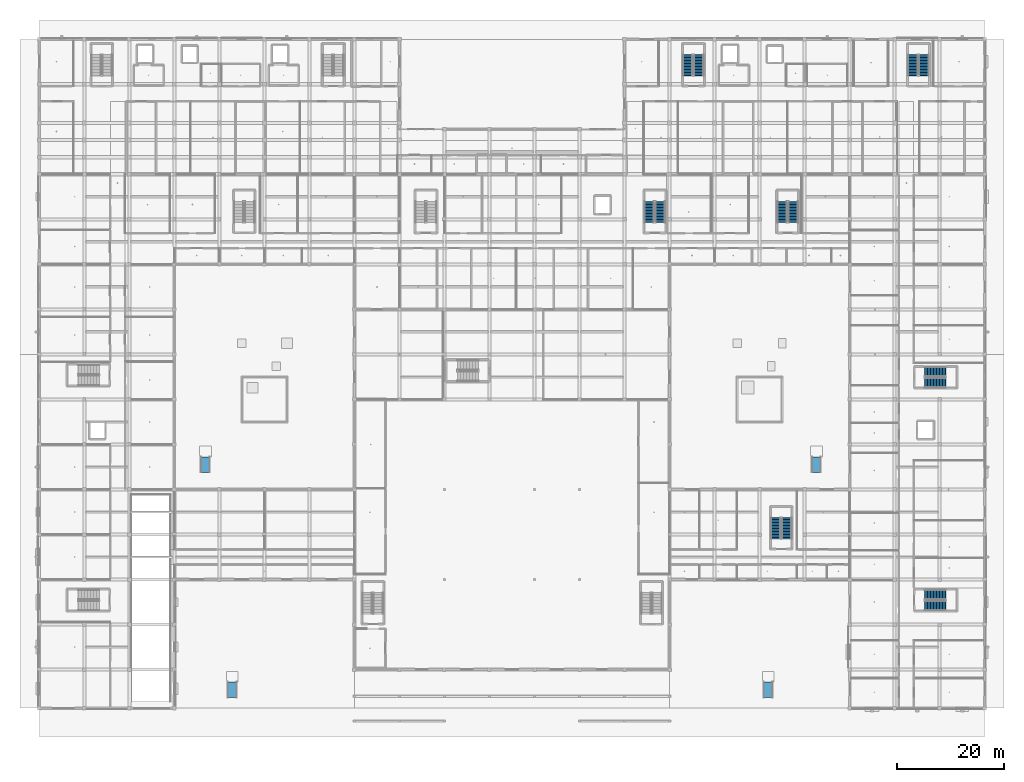
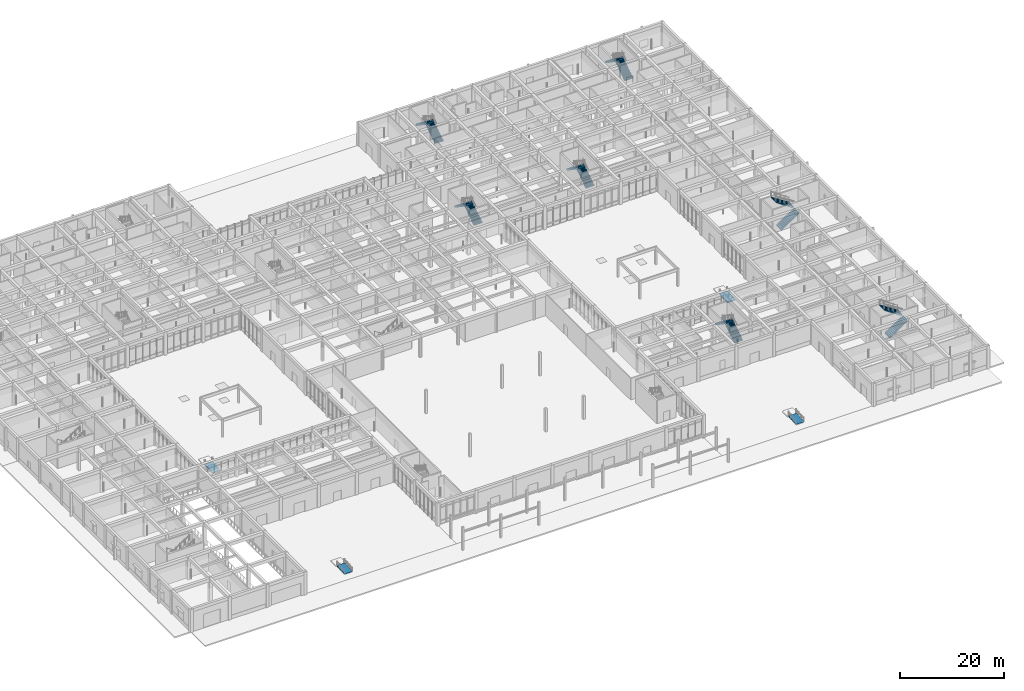
# One storey, part 81 of 167: 14 stair flights, 4 ramp flights, 11 elements without a shape of their own.
"""IFC4 building model written with IfcOpenShell, lengths in metres."""

from ifc_helpers import new_model, si_unit, direction, frame, origin, place, context, subcontext, project, spatial, polyline, outline, extrude, material, layer, layer_set, type_object, element, aggregate, save


model = new_model("IFC4")

# Units and contexts
model_context = context("Model", 3, precision=1e-05, world=origin(), true_north=direction((0.0, 1.0)))
body_context = subcontext(model_context, "Body", "Model", "MODEL_VIEW")
ifc_project = project(units=[si_unit("LENGTHUNIT", "METRE"), si_unit("AREAUNIT", "SQUARE_METRE"), si_unit("VOLUMEUNIT", "CUBIC_METRE"), si_unit("PLANEANGLEUNIT", "RADIAN"), si_unit("MASSUNIT", "GRAM", prefix="KILO")], contexts=[model_context])

# Site, building, storey
site_placement = place(None, origin())
site = spatial("IfcSite", under=ifc_project, at=site_placement, CompositionType="ELEMENT")
building_placement = place(site_placement, origin())
building = spatial("IfcBuilding", under=site, at=building_placement, Name="Varncliffe General Hospital", CompositionType="ELEMENT")
storey_placement = place(building_placement, origin())
storey = spatial("IfcBuildingStorey", under=building, at=storey_placement, Name="L00", CompositionType="ELEMENT", Elevation=0.0)

# Stair, stair flights
ifc_material = material(Name="Concrete C35/45 (CSA A23.1 35 MPa)", Category="concrete")
stair_type = type_object("IfcStairType", Name="Hospital Stair Assembly ST-T02 (1850w-5400h)", PredefinedType="TWO_STRAIGHT_RUN_STAIR", material=ifc_material)
stair_1_placement = place(storey_placement, origin())
stair_1 = element("IfcStair", 1, at=stair_1_placement, inside=storey, type_object=stair_type, Name="L00 North-East Ward Exit Stair 3", PredefinedType="TWO_STRAIGHT_RUN_STAIR")
stair_flight_type = type_object("IfcStairFlightType", Name="Hospital Stair Flight FL-T02 (1850w-5400h)", PredefinedType="STRAIGHT", material=ifc_material)
stair_flight_1_placement = place(storey_placement, frame((123.074951171875, 118.0, 0.0), z_axis=(0.0, 0.0, 1.0), x_axis=(0.0, 1.0, 0.0)))
stair_flight_1 = element("IfcStairFlight", 2, at=stair_flight_1_placement, type_object=stair_flight_type, Name="ST03 flight 1", NumberOfRisers=15, NumberOfTreads=14, PredefinedType="STRAIGHT", RiserHeight=0.18, TreadLength=0.28, context=body_context, shape_type="SweptSolid", body=[
    extrude(outline(polyline([(-0.02490234375, -0.14990234375), (-0.02490234375, 0.0), (0.0, 0.0), (0.0, 0.179931640625), (0.280029296875, 0.179931640625), (0.280029296875, 0.360107421875), (0.56005859375, 0.360107421875), (0.56005859375, 0.5400390625), (0.840087890625, 0.5400390625), (0.840087890625, 0.719970703125), (1.1201171875, 0.719970703125), (1.1201171875, 0.89990234375), (1.39990234375, 0.89990234375), (1.39990234375, 1.080078125), (1.679931640625, 1.080078125), (1.679931640625, 1.260009765625), (1.9599609375, 1.260009765625), (1.9599609375, 1.43994140625), (2.239990234375, 1.43994140625), (2.239990234375, 1.6201171875), (2.52001953125, 1.6201171875), (2.52001953125, 1.800048828125), (2.800048828125, 1.800048828125), (2.800048828125, 1.97998046875), (3.080078125, 1.97998046875), (3.080078125, 2.159912109375), (3.360107421875, 2.159912109375), (3.360107421875, 2.340087890625), (3.639892578125, 2.340087890625), (3.639892578125, 2.52001953125), (3.919921875, 2.52001953125), (3.919921875, 2.699951171875), (3.94482421875, 2.699951171875), (3.94482421875, 2.550048828125), (3.919921875, 2.341796875), (0.277099609375, -0.14990234375), (-0.02490234375, -0.14990234375)])), frame((0.0, 0.925048828125, 0.0), z_axis=(0.0, -1.0, 0.0), x_axis=(1.0, 0.0, 0.0)), (0.0, 0.0, 1.0), 1.85009765625),
])
stair_flight_2_placement = place(storey_placement, frame((121.02490234375, 121.919921875, 2.699951171875), z_axis=(0.0, 0.0, 1.0), x_axis=(0.0, -1.0, 0.0)))
stair_flight_2 = element("IfcStairFlight", 3, at=stair_flight_2_placement, type_object=stair_flight_type, Name="ST03 flight 2", NumberOfRisers=15, NumberOfTreads=14, PredefinedType="STRAIGHT", RiserHeight=0.18, TreadLength=0.28, context=body_context, shape_type="SweptSolid", body=[
    extrude(outline(polyline([(-0.02490234375, -0.14990234375), (-0.02490234375, 0.0), (0.0, 0.0), (0.0, 0.179931640625), (0.280029296875, 0.179931640625), (0.280029296875, 0.360107421875), (0.56005859375, 0.360107421875), (0.56005859375, 0.5400390625), (0.840087890625, 0.5400390625), (0.840087890625, 0.719970703125), (1.1201171875, 0.719970703125), (1.1201171875, 0.89990234375), (1.39990234375, 0.89990234375), (1.39990234375, 1.080078125), (1.679931640625, 1.080078125), (1.679931640625, 1.260009765625), (1.9599609375, 1.260009765625), (1.9599609375, 1.43994140625), (2.239990234375, 1.43994140625), (2.239990234375, 1.6201171875), (2.52001953125, 1.6201171875), (2.52001953125, 1.800048828125), (2.800048828125, 1.800048828125), (2.800048828125, 1.97998046875), (3.080078125, 1.97998046875), (3.080078125, 2.159912109375), (3.360107421875, 2.159912109375), (3.360107421875, 2.340087890625), (3.639892578125, 2.340087890625), (3.639892578125, 2.52001953125), (3.919921875, 2.52001953125), (3.919921875, 2.699951171875), (3.94482421875, 2.699951171875), (3.94482421875, 2.550048828125), (3.919921875, 2.341796875), (0.277099609375, -0.14990234375), (-0.02490234375, -0.14990234375)])), frame((0.0, 0.925048828125, 0.0), z_axis=(0.0, -1.0, 0.0), x_axis=(1.0, 0.0, 0.0)), (0.0, 0.0, 1.0), 1.85009765625),
])
aggregate(stair_1, [stair_flight_1, stair_flight_2])

stair_2_placement = place(storey_placement, origin())
stair_2 = element("IfcStair", 4, at=stair_2_placement, inside=storey, type_object=stair_type, Name="L00 North-East Ward Exit Stair 4", PredefinedType="TWO_STRAIGHT_RUN_STAIR")
stair_flight_3_placement = place(storey_placement, frame((165.074951171875, 118.0, 0.0), z_axis=(0.0, 0.0, 1.0), x_axis=(0.0, 1.0, 0.0)))
stair_flight_3 = element("IfcStairFlight", 5, at=stair_flight_3_placement, type_object=stair_flight_type, Name="ST04 flight 1", NumberOfRisers=15, NumberOfTreads=14, PredefinedType="STRAIGHT", RiserHeight=0.18, TreadLength=0.28, context=body_context, shape_type="SweptSolid", body=[
    extrude(outline(polyline([(-0.02490234375, -0.14990234375), (-0.02490234375, 0.0), (0.0, 0.0), (0.0, 0.179931640625), (0.280029296875, 0.179931640625), (0.280029296875, 0.360107421875), (0.56005859375, 0.360107421875), (0.56005859375, 0.5400390625), (0.840087890625, 0.5400390625), (0.840087890625, 0.719970703125), (1.1201171875, 0.719970703125), (1.1201171875, 0.89990234375), (1.39990234375, 0.89990234375), (1.39990234375, 1.080078125), (1.679931640625, 1.080078125), (1.679931640625, 1.260009765625), (1.9599609375, 1.260009765625), (1.9599609375, 1.43994140625), (2.239990234375, 1.43994140625), (2.239990234375, 1.6201171875), (2.52001953125, 1.6201171875), (2.52001953125, 1.800048828125), (2.800048828125, 1.800048828125), (2.800048828125, 1.97998046875), (3.080078125, 1.97998046875), (3.080078125, 2.159912109375), (3.360107421875, 2.159912109375), (3.360107421875, 2.340087890625), (3.639892578125, 2.340087890625), (3.639892578125, 2.52001953125), (3.919921875, 2.52001953125), (3.919921875, 2.699951171875), (3.94482421875, 2.699951171875), (3.94482421875, 2.550048828125), (3.919921875, 2.341796875), (0.277099609375, -0.14990234375), (-0.02490234375, -0.14990234375)])), frame((0.0, 0.925048828125, 0.0), z_axis=(0.0, -1.0, 0.0), x_axis=(1.0, 0.0, 0.0)), (0.0, 0.0, 1.0), 1.85009765625),
])
stair_flight_4_placement = place(storey_placement, frame((163.02490234375, 121.919921875, 2.699951171875), z_axis=(0.0, 0.0, 1.0), x_axis=(0.0, -1.0, 0.0)))
stair_flight_4 = element("IfcStairFlight", 6, at=stair_flight_4_placement, type_object=stair_flight_type, Name="ST04 flight 2", NumberOfRisers=15, NumberOfTreads=14, PredefinedType="STRAIGHT", RiserHeight=0.18, TreadLength=0.28, context=body_context, shape_type="SweptSolid", body=[
    extrude(outline(polyline([(-0.02490234375, -0.14990234375), (-0.02490234375, 0.0), (0.0, 0.0), (0.0, 0.179931640625), (0.280029296875, 0.179931640625), (0.280029296875, 0.360107421875), (0.56005859375, 0.360107421875), (0.56005859375, 0.5400390625), (0.840087890625, 0.5400390625), (0.840087890625, 0.719970703125), (1.1201171875, 0.719970703125), (1.1201171875, 0.89990234375), (1.39990234375, 0.89990234375), (1.39990234375, 1.080078125), (1.679931640625, 1.080078125), (1.679931640625, 1.260009765625), (1.9599609375, 1.260009765625), (1.9599609375, 1.43994140625), (2.239990234375, 1.43994140625), (2.239990234375, 1.6201171875), (2.52001953125, 1.6201171875), (2.52001953125, 1.800048828125), (2.800048828125, 1.800048828125), (2.800048828125, 1.97998046875), (3.080078125, 1.97998046875), (3.080078125, 2.159912109375), (3.360107421875, 2.159912109375), (3.360107421875, 2.340087890625), (3.639892578125, 2.340087890625), (3.639892578125, 2.52001953125), (3.919921875, 2.52001953125), (3.919921875, 2.699951171875), (3.94482421875, 2.699951171875), (3.94482421875, 2.550048828125), (3.919921875, 2.341796875), (0.277099609375, -0.14990234375), (-0.02490234375, -0.14990234375)])), frame((0.0, 0.925048828125, 0.0), z_axis=(0.0, -1.0, 0.0), x_axis=(1.0, 0.0, 0.0)), (0.0, 0.0, 1.0), 1.85009765625),
])
aggregate(stair_2, [stair_flight_3, stair_flight_4])

stair_3_placement = place(storey_placement, origin())
stair_3 = element("IfcStair", 7, at=stair_3_placement, inside=storey, type_object=stair_type, Name="L00 Surgical and Helipad Exit Stair 6", PredefinedType="TWO_STRAIGHT_RUN_STAIR")
stair_flight_5_placement = place(storey_placement, frame((115.875, 90.60009765625, 0.0), z_axis=(0.0, 0.0, 1.0), x_axis=(0.0, 1.0, 0.0)))
stair_flight_5 = element("IfcStairFlight", 8, at=stair_flight_5_placement, type_object=stair_flight_type, Name="ST06 flight 1", NumberOfRisers=15, NumberOfTreads=14, PredefinedType="STRAIGHT", RiserHeight=0.18, TreadLength=0.28, context=body_context, shape_type="SweptSolid", body=[
    extrude(outline(polyline([(-0.02490234375, -0.14990234375), (-0.02490234375, 0.0), (0.0, 0.0), (0.0, 0.179931640625), (0.280029296875, 0.179931640625), (0.280029296875, 0.360107421875), (0.56005859375, 0.360107421875), (0.56005859375, 0.5400390625), (0.840087890625, 0.5400390625), (0.840087890625, 0.719970703125), (1.1201171875, 0.719970703125), (1.1201171875, 0.89990234375), (1.39990234375, 0.89990234375), (1.39990234375, 1.080078125), (1.679931640625, 1.080078125), (1.679931640625, 1.260009765625), (1.9599609375, 1.260009765625), (1.9599609375, 1.43994140625), (2.239990234375, 1.43994140625), (2.239990234375, 1.6201171875), (2.52001953125, 1.6201171875), (2.52001953125, 1.800048828125), (2.800048828125, 1.800048828125), (2.800048828125, 1.97998046875), (3.080078125, 1.97998046875), (3.080078125, 2.159912109375), (3.360107421875, 2.159912109375), (3.360107421875, 2.340087890625), (3.639892578125, 2.340087890625), (3.639892578125, 2.52001953125), (3.919921875, 2.52001953125), (3.919921875, 2.699951171875), (3.94482421875, 2.699951171875), (3.94482421875, 2.550048828125), (3.919921875, 2.341796875), (0.277099609375, -0.14990234375), (-0.02490234375, -0.14990234375)])), frame((0.0, 0.925048828125, 0.0), z_axis=(0.0, -1.0, 0.0), x_axis=(1.0, 0.0, 0.0)), (0.0, 0.0, 1.0), 1.85009765625),
])
stair_flight_6_placement = place(storey_placement, frame((113.824951171875, 94.52001953125, 2.699951171875), z_axis=(0.0, 0.0, 1.0), x_axis=(0.0, -1.0, 0.0)))
stair_flight_6 = element("IfcStairFlight", 9, at=stair_flight_6_placement, type_object=stair_flight_type, Name="ST06 flight 2", NumberOfRisers=15, NumberOfTreads=14, PredefinedType="STRAIGHT", RiserHeight=0.18, TreadLength=0.28, context=body_context, shape_type="SweptSolid", body=[
    extrude(outline(polyline([(-0.02490234375, -0.14990234375), (-0.02490234375, 0.0), (0.0, 0.0), (0.0, 0.179931640625), (0.280029296875, 0.179931640625), (0.280029296875, 0.360107421875), (0.56005859375, 0.360107421875), (0.56005859375, 0.5400390625), (0.840087890625, 0.5400390625), (0.840087890625, 0.719970703125), (1.1201171875, 0.719970703125), (1.1201171875, 0.89990234375), (1.39990234375, 0.89990234375), (1.39990234375, 1.080078125), (1.679931640625, 1.080078125), (1.679931640625, 1.260009765625), (1.9599609375, 1.260009765625), (1.9599609375, 1.43994140625), (2.239990234375, 1.43994140625), (2.239990234375, 1.6201171875), (2.52001953125, 1.6201171875), (2.52001953125, 1.800048828125), (2.800048828125, 1.800048828125), (2.800048828125, 1.97998046875), (3.080078125, 1.97998046875), (3.080078125, 2.159912109375), (3.360107421875, 2.159912109375), (3.360107421875, 2.340087890625), (3.639892578125, 2.340087890625), (3.639892578125, 2.52001953125), (3.919921875, 2.52001953125), (3.919921875, 2.699951171875), (3.94482421875, 2.699951171875), (3.94482421875, 2.550048828125), (3.919921875, 2.341796875), (0.277099609375, -0.14990234375), (-0.02490234375, -0.14990234375)])), frame((0.0, 0.925048828125, 0.0), z_axis=(0.0, -1.0, 0.0), x_axis=(1.0, 0.0, 0.0)), (0.0, 0.0, 1.0), 1.85009765625),
])
aggregate(stair_3, [stair_flight_5, stair_flight_6])

stair_4_placement = place(storey_placement, origin())
stair_4 = element("IfcStair", 10, at=stair_4_placement, inside=storey, type_object=stair_type, Name="L00 Outpatient East Exit Stair 7", PredefinedType="TWO_STRAIGHT_RUN_STAIR")
stair_flight_7_placement = place(storey_placement, frame((165.199951171875, 60.72509765625, 0.0), z_axis=(0.0, 0.0, 1.0), x_axis=(1.0, 0.0, 0.0)))
stair_flight_7 = element("IfcStairFlight", 11, at=stair_flight_7_placement, type_object=stair_flight_type, Name="ST07 flight 1", NumberOfRisers=15, NumberOfTreads=14, PredefinedType="STRAIGHT", RiserHeight=0.18, TreadLength=0.28, context=body_context, shape_type="SweptSolid", body=[
    extrude(outline(polyline([(-0.02490234375, -0.14990234375), (-0.02490234375, 0.0), (0.0, 0.0), (0.0, 0.179931640625), (0.280029296875, 0.179931640625), (0.280029296875, 0.360107421875), (0.56005859375, 0.360107421875), (0.56005859375, 0.5400390625), (0.840087890625, 0.5400390625), (0.840087890625, 0.719970703125), (1.1201171875, 0.719970703125), (1.1201171875, 0.89990234375), (1.39990234375, 0.89990234375), (1.39990234375, 1.080078125), (1.679931640625, 1.080078125), (1.679931640625, 1.260009765625), (1.9599609375, 1.260009765625), (1.9599609375, 1.43994140625), (2.239990234375, 1.43994140625), (2.239990234375, 1.6201171875), (2.52001953125, 1.6201171875), (2.52001953125, 1.800048828125), (2.800048828125, 1.800048828125), (2.800048828125, 1.97998046875), (3.080078125, 1.97998046875), (3.080078125, 2.159912109375), (3.360107421875, 2.159912109375), (3.360107421875, 2.340087890625), (3.639892578125, 2.340087890625), (3.639892578125, 2.52001953125), (3.919921875, 2.52001953125), (3.919921875, 2.699951171875), (3.94482421875, 2.699951171875), (3.94482421875, 2.550048828125), (3.919921875, 2.341796875), (0.277099609375, -0.14990234375), (-0.02490234375, -0.14990234375)])), frame((0.0, 0.925048828125, 0.0), z_axis=(0.0, -1.0, 0.0), x_axis=(1.0, 0.0, 0.0)), (0.0, 0.0, 1.0), 1.85009765625),
])
stair_flight_8_placement = place(storey_placement, frame((169.1201171875, 62.77490234375, 2.699951171875), z_axis=(0.0, 0.0, 1.0), x_axis=(-1.0, 0.0, 0.0)))
stair_flight_8 = element("IfcStairFlight", 12, at=stair_flight_8_placement, type_object=stair_flight_type, Name="ST07 flight 2", NumberOfRisers=15, NumberOfTreads=14, PredefinedType="STRAIGHT", RiserHeight=0.18, TreadLength=0.28, context=body_context, shape_type="SweptSolid", body=[
    extrude(outline(polyline([(-0.02490234375, -0.14990234375), (-0.02490234375, 0.0), (0.0, 0.0), (0.0, 0.179931640625), (0.280029296875, 0.179931640625), (0.280029296875, 0.360107421875), (0.56005859375, 0.360107421875), (0.56005859375, 0.5400390625), (0.840087890625, 0.5400390625), (0.840087890625, 0.719970703125), (1.1201171875, 0.719970703125), (1.1201171875, 0.89990234375), (1.39990234375, 0.89990234375), (1.39990234375, 1.080078125), (1.679931640625, 1.080078125), (1.679931640625, 1.260009765625), (1.9599609375, 1.260009765625), (1.9599609375, 1.43994140625), (2.239990234375, 1.43994140625), (2.239990234375, 1.6201171875), (2.52001953125, 1.6201171875), (2.52001953125, 1.800048828125), (2.800048828125, 1.800048828125), (2.800048828125, 1.97998046875), (3.080078125, 1.97998046875), (3.080078125, 2.159912109375), (3.360107421875, 2.159912109375), (3.360107421875, 2.340087890625), (3.639892578125, 2.340087890625), (3.639892578125, 2.52001953125), (3.919921875, 2.52001953125), (3.919921875, 2.699951171875), (3.94482421875, 2.699951171875), (3.94482421875, 2.550048828125), (3.919921875, 2.341796875), (0.277099609375, -0.14990234375), (-0.02490234375, -0.14990234375)])), frame((0.0, 0.925048828125, 0.0), z_axis=(0.0, -1.0, 0.0), x_axis=(1.0, 0.0, 0.0)), (0.0, 0.0, 1.0), 1.85009765625),
])
aggregate(stair_4, [stair_flight_7, stair_flight_8])

stair_5_placement = place(storey_placement, origin())
stair_5 = element("IfcStair", 13, at=stair_5_placement, inside=storey, type_object=stair_type, Name="L00 Outpatient South-East Exit Stair 11", PredefinedType="TWO_STRAIGHT_RUN_STAIR")
stair_flight_9_placement = place(storey_placement, frame((165.199951171875, 19.125, 0.0), z_axis=(0.0, 0.0, 1.0), x_axis=(1.0, 0.0, 0.0)))
stair_flight_9 = element("IfcStairFlight", 14, at=stair_flight_9_placement, type_object=stair_flight_type, Name="ST11 flight 1", NumberOfRisers=15, NumberOfTreads=14, PredefinedType="STRAIGHT", RiserHeight=0.18, TreadLength=0.28, context=body_context, shape_type="SweptSolid", body=[
    extrude(outline(polyline([(-0.02490234375, -0.14990234375), (-0.02490234375, 0.0), (0.0, 0.0), (0.0, 0.179931640625), (0.280029296875, 0.179931640625), (0.280029296875, 0.360107421875), (0.56005859375, 0.360107421875), (0.56005859375, 0.5400390625), (0.840087890625, 0.5400390625), (0.840087890625, 0.719970703125), (1.1201171875, 0.719970703125), (1.1201171875, 0.89990234375), (1.39990234375, 0.89990234375), (1.39990234375, 1.080078125), (1.679931640625, 1.080078125), (1.679931640625, 1.260009765625), (1.9599609375, 1.260009765625), (1.9599609375, 1.43994140625), (2.239990234375, 1.43994140625), (2.239990234375, 1.6201171875), (2.52001953125, 1.6201171875), (2.52001953125, 1.800048828125), (2.800048828125, 1.800048828125), (2.800048828125, 1.97998046875), (3.080078125, 1.97998046875), (3.080078125, 2.159912109375), (3.360107421875, 2.159912109375), (3.360107421875, 2.340087890625), (3.639892578125, 2.340087890625), (3.639892578125, 2.52001953125), (3.919921875, 2.52001953125), (3.919921875, 2.699951171875), (3.94482421875, 2.699951171875), (3.94482421875, 2.550048828125), (3.919921875, 2.341796875), (0.277099609375, -0.14990234375), (-0.02490234375, -0.14990234375)])), frame((0.0, 0.925048828125, 0.0), z_axis=(0.0, -1.0, 0.0), x_axis=(1.0, 0.0, 0.0)), (0.0, 0.0, 1.0), 1.85009765625),
])
stair_flight_10_placement = place(storey_placement, frame((169.1201171875, 21.175048828125, 2.699951171875), z_axis=(0.0, 0.0, 1.0), x_axis=(-1.0, 0.0, 0.0)))
stair_flight_10 = element("IfcStairFlight", 15, at=stair_flight_10_placement, type_object=stair_flight_type, Name="ST11 flight 2", NumberOfRisers=15, NumberOfTreads=14, PredefinedType="STRAIGHT", RiserHeight=0.18, TreadLength=0.28, context=body_context, shape_type="SweptSolid", body=[
    extrude(outline(polyline([(-0.02490234375, -0.14990234375), (-0.02490234375, 0.0), (0.0, 0.0), (0.0, 0.179931640625), (0.280029296875, 0.179931640625), (0.280029296875, 0.360107421875), (0.56005859375, 0.360107421875), (0.56005859375, 0.5400390625), (0.840087890625, 0.5400390625), (0.840087890625, 0.719970703125), (1.1201171875, 0.719970703125), (1.1201171875, 0.89990234375), (1.39990234375, 0.89990234375), (1.39990234375, 1.080078125), (1.679931640625, 1.080078125), (1.679931640625, 1.260009765625), (1.9599609375, 1.260009765625), (1.9599609375, 1.43994140625), (2.239990234375, 1.43994140625), (2.239990234375, 1.6201171875), (2.52001953125, 1.6201171875), (2.52001953125, 1.800048828125), (2.800048828125, 1.800048828125), (2.800048828125, 1.97998046875), (3.080078125, 1.97998046875), (3.080078125, 2.159912109375), (3.360107421875, 2.159912109375), (3.360107421875, 2.340087890625), (3.639892578125, 2.340087890625), (3.639892578125, 2.52001953125), (3.919921875, 2.52001953125), (3.919921875, 2.699951171875), (3.94482421875, 2.699951171875), (3.94482421875, 2.550048828125), (3.919921875, 2.341796875), (0.277099609375, -0.14990234375), (-0.02490234375, -0.14990234375)])), frame((0.0, 0.925048828125, 0.0), z_axis=(0.0, -1.0, 0.0), x_axis=(1.0, 0.0, 0.0)), (0.0, 0.0, 1.0), 1.85009765625),
])
aggregate(stair_5, [stair_flight_9, stair_flight_10])

stair_6_placement = place(storey_placement, origin())
stair_6 = element("IfcStair", 16, at=stair_6_placement, inside=storey, type_object=stair_type, Name="L00 East-Central Clinical Exit Stair 14", PredefinedType="TWO_STRAIGHT_RUN_STAIR")
stair_flight_11_placement = place(storey_placement, frame((140.675048828125, 90.60009765625, 0.0), z_axis=(0.0, 0.0, 1.0), x_axis=(0.0, 1.0, 0.0)))
stair_flight_11 = element("IfcStairFlight", 17, at=stair_flight_11_placement, type_object=stair_flight_type, Name="ST14 flight 1", NumberOfRisers=15, NumberOfTreads=14, PredefinedType="STRAIGHT", RiserHeight=0.18, TreadLength=0.28, context=body_context, shape_type="SweptSolid", body=[
    extrude(outline(polyline([(-0.02490234375, -0.14990234375), (-0.02490234375, 0.0), (0.0, 0.0), (0.0, 0.179931640625), (0.280029296875, 0.179931640625), (0.280029296875, 0.360107421875), (0.56005859375, 0.360107421875), (0.56005859375, 0.5400390625), (0.840087890625, 0.5400390625), (0.840087890625, 0.719970703125), (1.1201171875, 0.719970703125), (1.1201171875, 0.89990234375), (1.39990234375, 0.89990234375), (1.39990234375, 1.080078125), (1.679931640625, 1.080078125), (1.679931640625, 1.260009765625), (1.9599609375, 1.260009765625), (1.9599609375, 1.43994140625), (2.239990234375, 1.43994140625), (2.239990234375, 1.6201171875), (2.52001953125, 1.6201171875), (2.52001953125, 1.800048828125), (2.800048828125, 1.800048828125), (2.800048828125, 1.97998046875), (3.080078125, 1.97998046875), (3.080078125, 2.159912109375), (3.360107421875, 2.159912109375), (3.360107421875, 2.340087890625), (3.639892578125, 2.340087890625), (3.639892578125, 2.52001953125), (3.919921875, 2.52001953125), (3.919921875, 2.699951171875), (3.94482421875, 2.699951171875), (3.94482421875, 2.550048828125), (3.919921875, 2.341796875), (0.277099609375, -0.14990234375), (-0.02490234375, -0.14990234375)])), frame((0.0, 0.925048828125, 0.0), z_axis=(0.0, -1.0, 0.0), x_axis=(1.0, 0.0, 0.0)), (0.0, 0.0, 1.0), 1.85009765625),
])
stair_flight_12_placement = place(storey_placement, frame((138.625, 94.52001953125, 2.699951171875), z_axis=(0.0, 0.0, 1.0), x_axis=(0.0, -1.0, 0.0)))
stair_flight_12 = element("IfcStairFlight", 18, at=stair_flight_12_placement, type_object=stair_flight_type, Name="ST14 flight 2", NumberOfRisers=15, NumberOfTreads=14, PredefinedType="STRAIGHT", RiserHeight=0.18, TreadLength=0.28, context=body_context, shape_type="SweptSolid", body=[
    extrude(outline(polyline([(-0.02490234375, -0.14990234375), (-0.02490234375, 0.0), (0.0, 0.0), (0.0, 0.179931640625), (0.280029296875, 0.179931640625), (0.280029296875, 0.360107421875), (0.56005859375, 0.360107421875), (0.56005859375, 0.5400390625), (0.840087890625, 0.5400390625), (0.840087890625, 0.719970703125), (1.1201171875, 0.719970703125), (1.1201171875, 0.89990234375), (1.39990234375, 0.89990234375), (1.39990234375, 1.080078125), (1.679931640625, 1.080078125), (1.679931640625, 1.260009765625), (1.9599609375, 1.260009765625), (1.9599609375, 1.43994140625), (2.239990234375, 1.43994140625), (2.239990234375, 1.6201171875), (2.52001953125, 1.6201171875), (2.52001953125, 1.800048828125), (2.800048828125, 1.800048828125), (2.800048828125, 1.97998046875), (3.080078125, 1.97998046875), (3.080078125, 2.159912109375), (3.360107421875, 2.159912109375), (3.360107421875, 2.340087890625), (3.639892578125, 2.340087890625), (3.639892578125, 2.52001953125), (3.919921875, 2.52001953125), (3.919921875, 2.699951171875), (3.94482421875, 2.699951171875), (3.94482421875, 2.550048828125), (3.919921875, 2.341796875), (0.277099609375, -0.14990234375), (-0.02490234375, -0.14990234375)])), frame((0.0, 0.925048828125, 0.0), z_axis=(0.0, -1.0, 0.0), x_axis=(1.0, 0.0, 0.0)), (0.0, 0.0, 1.0), 1.85009765625),
])
aggregate(stair_6, [stair_flight_11, stair_flight_12])

stair_7_placement = place(storey_placement, origin())
stair_7 = element("IfcStair", 19, at=stair_7_placement, inside=storey, type_object=stair_type, Name="L00 Outpatient Cloister Exit Stair 15", PredefinedType="TWO_STRAIGHT_RUN_STAIR")
stair_flight_13_placement = place(storey_placement, frame((139.47509765625, 31.60009765625, 0.0), z_axis=(0.0, 0.0, 1.0), x_axis=(0.0, 1.0, 0.0)))
stair_flight_13 = element("IfcStairFlight", 20, at=stair_flight_13_placement, type_object=stair_flight_type, Name="ST15 flight 1", NumberOfRisers=15, NumberOfTreads=14, PredefinedType="STRAIGHT", RiserHeight=0.18, TreadLength=0.28, context=body_context, shape_type="SweptSolid", body=[
    extrude(outline(polyline([(-0.02490234375, -0.14990234375), (-0.02490234375, 0.0), (0.0, 0.0), (0.0, 0.179931640625), (0.280029296875, 0.179931640625), (0.280029296875, 0.360107421875), (0.56005859375, 0.360107421875), (0.56005859375, 0.5400390625), (0.840087890625, 0.5400390625), (0.840087890625, 0.719970703125), (1.1201171875, 0.719970703125), (1.1201171875, 0.89990234375), (1.39990234375, 0.89990234375), (1.39990234375, 1.080078125), (1.679931640625, 1.080078125), (1.679931640625, 1.260009765625), (1.9599609375, 1.260009765625), (1.9599609375, 1.43994140625), (2.239990234375, 1.43994140625), (2.239990234375, 1.6201171875), (2.52001953125, 1.6201171875), (2.52001953125, 1.800048828125), (2.800048828125, 1.800048828125), (2.800048828125, 1.97998046875), (3.080078125, 1.97998046875), (3.080078125, 2.159912109375), (3.360107421875, 2.159912109375), (3.360107421875, 2.340087890625), (3.639892578125, 2.340087890625), (3.639892578125, 2.52001953125), (3.919921875, 2.52001953125), (3.919921875, 2.699951171875), (3.94482421875, 2.699951171875), (3.94482421875, 2.550048828125), (3.919921875, 2.341796875), (0.277099609375, -0.14990234375), (-0.02490234375, -0.14990234375)])), frame((0.0, 0.925048828125, 0.0), z_axis=(0.0, -1.0, 0.0), x_axis=(1.0, 0.0, 0.0)), (0.0, 0.0, 1.0), 1.85009765625),
])
stair_flight_14_placement = place(storey_placement, frame((137.425048828125, 35.52001953125, 2.699951171875), z_axis=(0.0, 0.0, 1.0), x_axis=(0.0, -1.0, 0.0)))
stair_flight_14 = element("IfcStairFlight", 21, at=stair_flight_14_placement, type_object=stair_flight_type, Name="ST15 flight 2", NumberOfRisers=15, NumberOfTreads=14, PredefinedType="STRAIGHT", RiserHeight=0.18, TreadLength=0.28, context=body_context, shape_type="SweptSolid", body=[
    extrude(outline(polyline([(-0.02490234375, -0.14990234375), (-0.02490234375, 0.0), (0.0, 0.0), (0.0, 0.179931640625), (0.280029296875, 0.179931640625), (0.280029296875, 0.360107421875), (0.56005859375, 0.360107421875), (0.56005859375, 0.5400390625), (0.840087890625, 0.5400390625), (0.840087890625, 0.719970703125), (1.1201171875, 0.719970703125), (1.1201171875, 0.89990234375), (1.39990234375, 0.89990234375), (1.39990234375, 1.080078125), (1.679931640625, 1.080078125), (1.679931640625, 1.260009765625), (1.9599609375, 1.260009765625), (1.9599609375, 1.43994140625), (2.239990234375, 1.43994140625), (2.239990234375, 1.6201171875), (2.52001953125, 1.6201171875), (2.52001953125, 1.800048828125), (2.800048828125, 1.800048828125), (2.800048828125, 1.97998046875), (3.080078125, 1.97998046875), (3.080078125, 2.159912109375), (3.360107421875, 2.159912109375), (3.360107421875, 2.340087890625), (3.639892578125, 2.340087890625), (3.639892578125, 2.52001953125), (3.919921875, 2.52001953125), (3.919921875, 2.699951171875), (3.94482421875, 2.699951171875), (3.94482421875, 2.550048828125), (3.919921875, 2.341796875), (0.277099609375, -0.14990234375), (-0.02490234375, -0.14990234375)])), frame((0.0, 0.925048828125, 0.0), z_axis=(0.0, -1.0, 0.0), x_axis=(1.0, 0.0, 0.0)), (0.0, 0.0, 1.0), 1.85009765625),
])
aggregate(stair_7, [stair_flight_13, stair_flight_14])

# Ramp, ramp flight
ramp_type = type_object("IfcRampType", Name="Barrier-Free Pedestrian Access Ramp PR23", PredefinedType="STRAIGHT_RUN_RAMP", material=ifc_material)
ramp_1_placement = place(storey_placement, origin())
ramp_1 = element("IfcRamp", 22, at=ramp_1_placement, inside=storey, type_object=ramp_type, Name="South-West Forecourt Barrier-Free Ramp", PredefinedType="STRAIGHT_RUN_RAMP")
ifc_layer = layer(ifc_material, 0.239990234375)
ifc_layer_set = layer_set([ifc_layer], Name="Concrete C35/45 (CSA A23.1 35 MPa)")
ramp_flight_type = type_object("IfcRampFlightType", Name="Barrier-Free Ramp Flight PR23F", PredefinedType="STRAIGHT", material=ifc_layer_set)
ramp_flight_1_placement = place(storey_placement, frame((36.0, 2.0, 0.0), z_axis=(0.0, 0.0, 1.0), x_axis=(0.0, 1.0, 0.0)))
ramp_flight_1 = element("IfcRampFlight", 23, at=ramp_flight_1_placement, type_object=ramp_flight_type, Name="South-West Forecourt Barrier-Free Ramp Flight", PredefinedType="STRAIGHT", context=body_context, shape_type="SweptSolid", body=[
    extrude(outline(polyline([(-0.02490234375, -0.239990234375), (0.0, -0.239990234375), (2.8798828125, 0.0), (2.90478515625, 0.0), (2.90478515625, 0.239990234375), (2.8798828125, 0.239990234375), (0.0, 0.0), (-0.02490234375, 0.0), (-0.02490234375, -0.239990234375)])), frame((0.0, 0.89990234375, 0.0), z_axis=(0.0, -1.0, 0.0), x_axis=(1.0, 0.0, 0.0)), (0.0, 0.0, 1.0), 1.800048828125),
])
aggregate(ramp_1, [ramp_flight_1])

ramp_2_placement = place(storey_placement, origin())
ramp_2 = element("IfcRamp", 24, at=ramp_2_placement, inside=storey, type_object=ramp_type, Name="South-East Forecourt Barrier-Free Ramp", PredefinedType="STRAIGHT_RUN_RAMP")
ramp_flight_2_placement = place(storey_placement, frame((136.0, 2.0, 0.0), z_axis=(0.0, 0.0, 1.0), x_axis=(0.0, 1.0, 0.0)))
ramp_flight_2 = element("IfcRampFlight", 25, at=ramp_flight_2_placement, type_object=ramp_flight_type, Name="South-East Forecourt Barrier-Free Ramp Flight", PredefinedType="STRAIGHT", context=body_context, shape_type="SweptSolid", body=[
    extrude(outline(polyline([(-0.02490234375, -0.239990234375), (0.0, -0.239990234375), (2.8798828125, 0.0), (2.90478515625, 0.0), (2.90478515625, 0.239990234375), (2.8798828125, 0.239990234375), (0.0, 0.0), (-0.02490234375, 0.0), (-0.02490234375, -0.239990234375)])), frame((0.0, 0.89990234375, 0.0), z_axis=(0.0, -1.0, 0.0), x_axis=(1.0, 0.0, 0.0)), (0.0, 0.0, 1.0), 1.800048828125),
])
aggregate(ramp_2, [ramp_flight_2])

ramp_3_placement = place(storey_placement, origin())
ramp_3 = element("IfcRamp", 26, at=ramp_3_placement, inside=storey, type_object=ramp_type, Name="West Cloister Garden Barrier-Free Ramp", PredefinedType="STRAIGHT_RUN_RAMP")
ramp_flight_3_placement = place(storey_placement, frame((31.0, 44.0, 0.0), z_axis=(0.0, 0.0, 1.0), x_axis=(0.0, 1.0, 0.0)))
ramp_flight_3 = element("IfcRampFlight", 27, at=ramp_flight_3_placement, type_object=ramp_flight_type, Name="West Cloister Garden Barrier-Free Ramp Flight", PredefinedType="STRAIGHT", context=body_context, shape_type="SweptSolid", body=[
    extrude(outline(polyline([(-0.02490234375, -0.239990234375), (0.0, -0.239990234375), (2.8798828125, 0.0), (2.90478515625, 0.0), (2.90478515625, 0.239990234375), (2.8798828125, 0.239990234375), (0.0, 0.0), (-0.02490234375, 0.0), (-0.02490234375, -0.239990234375)])), frame((0.0, 0.89990234375, 0.0), z_axis=(0.0, -1.0, 0.0), x_axis=(1.0, 0.0, 0.0)), (0.0, 0.0, 1.0), 1.800048828125),
])
aggregate(ramp_3, [ramp_flight_3])

ramp_4_placement = place(storey_placement, origin())
ramp_4 = element("IfcRamp", 28, at=ramp_4_placement, inside=storey, type_object=ramp_type, Name="East Cloister Garden Barrier-Free Ramp", PredefinedType="STRAIGHT_RUN_RAMP")
ramp_flight_4_placement = place(storey_placement, frame((145.0, 44.0, 0.0), z_axis=(0.0, 0.0, 1.0), x_axis=(0.0, 1.0, 0.0)))
ramp_flight_4 = element("IfcRampFlight", 29, at=ramp_flight_4_placement, type_object=ramp_flight_type, Name="East Cloister Garden Barrier-Free Ramp Flight", PredefinedType="STRAIGHT", context=body_context, shape_type="SweptSolid", body=[
    extrude(outline(polyline([(-0.02490234375, -0.239990234375), (0.0, -0.239990234375), (2.8798828125, 0.0), (2.90478515625, 0.0), (2.90478515625, 0.239990234375), (2.8798828125, 0.239990234375), (0.0, 0.0), (-0.02490234375, 0.0), (-0.02490234375, -0.239990234375)])), frame((0.0, 0.89990234375, 0.0), z_axis=(0.0, -1.0, 0.0), x_axis=(1.0, 0.0, 0.0)), (0.0, 0.0, 1.0), 1.800048828125),
])
aggregate(ramp_4, [ramp_flight_4])

save(model, "model.ifc")
